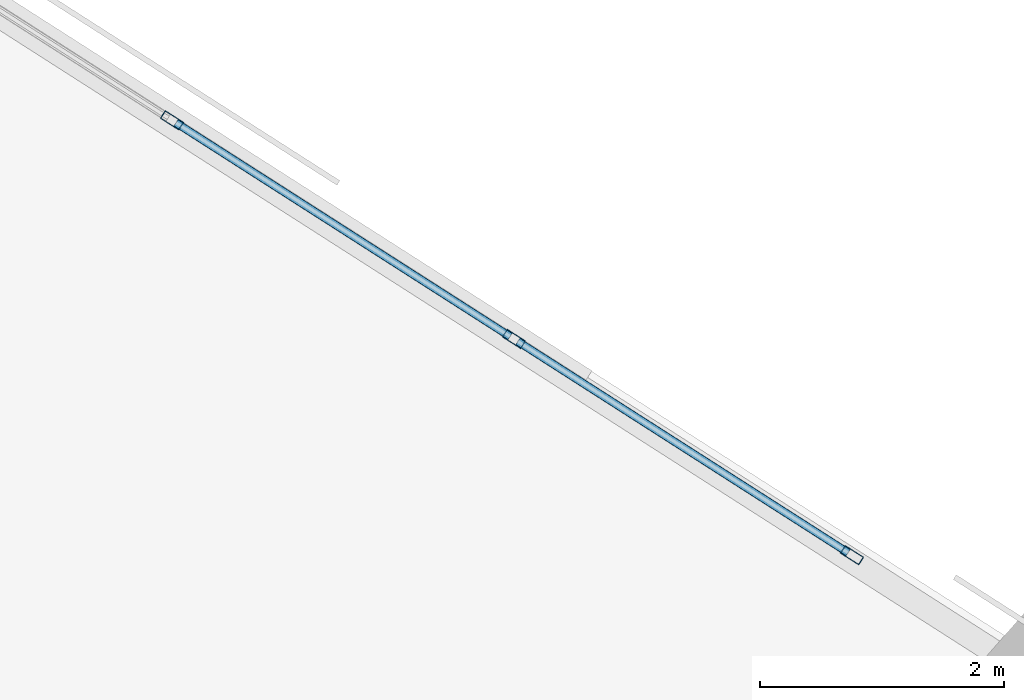
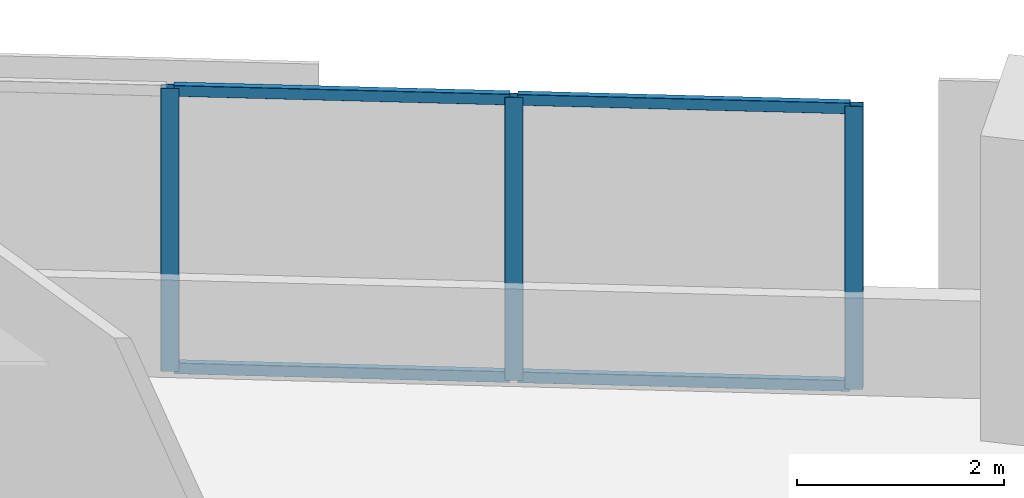
# One storey, part 10 of 17: 7 members, 1 element without a shape of its own.
"""IFC4 building model written with IfcOpenShell, lengths in metres."""

from ifc_helpers import new_model, si_unit, direction, frame, origin, origin_2d, place, context, subcontext, project, spatial, hollow_rectangle, extrude, material, material_profile, profile_set, type_object, element, aggregate, save


model = new_model("IFC4")

# Units and contexts
model_context = context("Model", 3, precision=1e-05, world=origin(), true_north=direction((0.0, 1.0)))
body_context = subcontext(model_context, "Body", "Model", "MODEL_VIEW")
ifc_project = project(units=[si_unit("LENGTHUNIT", "METRE"), si_unit("AREAUNIT", "SQUARE_METRE"), si_unit("VOLUMEUNIT", "CUBIC_METRE"), si_unit("PLANEANGLEUNIT", "RADIAN"), si_unit("MASSUNIT", "GRAM", prefix="KILO")], contexts=[model_context])

# Site, building, storey
site_placement = place(None, origin())
site = spatial("IfcSite", under=ifc_project, at=site_placement, CompositionType="ELEMENT")
building_placement = place(site_placement, origin())
building = spatial("IfcBuilding", under=site, at=building_placement, Name="Narakoshi Arena Tower", CompositionType="ELEMENT")
storey_placement = place(building_placement, frame((0.0, 0.0, 63.300048828125)))
storey = spatial("IfcBuildingStorey", under=building, at=storey_placement, Name="L16", CompositionType="ELEMENT", Elevation=63.300048828125)

# Curtain wall, members
ifc_material = material(Name="Anodised bronze aluminium 6063-T6", Category="aluminium")
curtain_wall_type = type_object("IfcCurtainWallType", Name="CW-HYP-LOW", PredefinedType="NOTDEFINED", material=ifc_material)
curtain_wall_placement = place(storey_placement, origin())
curtain_wall = element("IfcCurtainWall", 1, at=curtain_wall_placement, inside=storey, type_object=curtain_wall_type, Name="L16 Folded Hypotenuse Curtain Wall 2-2", PredefinedType="NOTDEFINED")
ifc_material_profile_1 = material_profile(ifc_material, hollow_rectangle(XDim=0.074951171875, YDim=0.179931640625, WallThickness=0.00390625, OuterFilletRadius=0.0048828125, at=origin_2d()), Name="MUL180x75x4")
ifc_profile_set_1 = profile_set([ifc_material_profile_1], Name="Anodised bronze aluminium 6063-T6")
member_type_1 = type_object("IfcMemberType", Name="MEM-MUL-180", PredefinedType="MULLION", material=ifc_profile_set_1)
member_1_placement = place(storey_placement, frame((83.41943359375, 66.22705078125, 0.0), z_axis=(0.0, 0.0, 1.0), x_axis=(-0.538829098714, -0.842415100992, 0.0)))
member_1 = element("IfcMember", 2, at=member_1_placement, type_object=member_type_1, Name="CW-01 mullion 1", PredefinedType="MULLION", context=body_context, shape_type="SweptSolid", body=[
    extrude(hollow_rectangle(XDim=0.074951171875, YDim=0.179931640625, WallThickness=0.00390625, OuterFilletRadius=0.0048828125, at=origin_2d()), origin(), (0.0, 0.0, 1.0), 3.33984375),
])
member_2_placement = place(storey_placement, frame((80.6474609375, 68.000244140625, 0.0), z_axis=(0.0, 0.0, 1.0), x_axis=(-0.538829098714, -0.842415100992, 0.0)))
member_2 = element("IfcMember", 3, at=member_2_placement, type_object=member_type_1, Name="CW-01 mullion 2", PredefinedType="MULLION", context=body_context, shape_type="SweptSolid", body=[
    extrude(hollow_rectangle(XDim=0.074951171875, YDim=0.179931640625, WallThickness=0.00390625, OuterFilletRadius=0.0048828125, at=origin_2d()), origin(), (0.0, 0.0, 1.0), 3.33984375),
])
member_3_placement = place(storey_placement, frame((77.843505859375, 69.79345703125, 0.0), z_axis=(0.0, 0.0, 1.0), x_axis=(-0.538829098714, -0.842415100992, 0.0)))
member_3 = element("IfcMember", 4, at=member_3_placement, type_object=member_type_1, Name="CW-01 mullion 3", PredefinedType="MULLION", context=body_context, shape_type="SweptSolid", body=[
    extrude(hollow_rectangle(XDim=0.074951171875, YDim=0.179931640625, WallThickness=0.00390625, OuterFilletRadius=0.0048828125, at=origin_2d()), origin(), (0.0, 0.0, 1.0), 3.33984375),
])
ifc_material_profile_2 = material_profile(ifc_material, hollow_rectangle(XDim=0.06494140625, YDim=0.1298828125, WallThickness=0.00390625, OuterFilletRadius=0.0048828125, at=origin_2d()), Name="TRN130x65x4")
ifc_profile_set_2 = profile_set([ifc_material_profile_2], Name="Anodised bronze aluminium 6063-T6")
member_type_2 = type_object("IfcMemberType", Name="MEM-TRN-130", PredefinedType="USERDEFINED", material=ifc_profile_set_2)
member_4_placement = place(storey_placement, frame((83.387939453125, 66.247314453125, 0.032470703125), z_axis=(-0.842424416084, 0.538814535053, 0.0), x_axis=(-0.538814535053, -0.842424416084, 0.0)))
member_4 = element("IfcMember", 5, at=member_4_placement, type_object=member_type_2, Name="CW-01 transom 1.1", ObjectType="TRANSOM", PredefinedType="USERDEFINED", context=body_context, shape_type="SweptSolid", body=[
    extrude(hollow_rectangle(XDim=0.06494140625, YDim=0.1298828125, WallThickness=0.00390625, OuterFilletRadius=0.0048828125, at=origin_2d()), origin(), (0.0, 0.0, 1.0), 3.2158203125),
])
member_5_placement = place(storey_placement, frame((83.387939453125, 66.247314453125, 3.307373046875), z_axis=(-0.842424416084, 0.538814535053, 0.0), x_axis=(-0.538814535053, -0.842424416084, 0.0)))
member_5 = element("IfcMember", 6, at=member_5_placement, type_object=member_type_2, Name="CW-01 transom 1.2", ObjectType="TRANSOM", PredefinedType="USERDEFINED", context=body_context, shape_type="SweptSolid", body=[
    extrude(hollow_rectangle(XDim=0.06494140625, YDim=0.1298828125, WallThickness=0.00390625, OuterFilletRadius=0.0048828125, at=origin_2d()), origin(), (0.0, 0.0, 1.0), 3.2158203125),
])
member_6_placement = place(storey_placement, frame((80.61572265625, 68.020263671875, 0.032470703125), z_axis=(-0.842407668774, 0.5388407182, 0.0), x_axis=(-0.5388407182, -0.842407668774, 0.0)))
member_6 = element("IfcMember", 7, at=member_6_placement, type_object=member_type_2, Name="CW-01 transom 2.1", ObjectType="TRANSOM", PredefinedType="USERDEFINED", context=body_context, shape_type="SweptSolid", body=[
    extrude(hollow_rectangle(XDim=0.06494140625, YDim=0.1298828125, WallThickness=0.00390625, OuterFilletRadius=0.0048828125, at=origin_2d()), origin(), (0.0, 0.0, 1.0), 3.253173828125),
])
member_7_placement = place(storey_placement, frame((80.61572265625, 68.020263671875, 3.307373046875), z_axis=(-0.842407668774, 0.5388407182, 0.0), x_axis=(-0.5388407182, -0.842407668774, 0.0)))
member_7 = element("IfcMember", 8, at=member_7_placement, type_object=member_type_2, Name="CW-01 transom 2.2", ObjectType="TRANSOM", PredefinedType="USERDEFINED", context=body_context, shape_type="SweptSolid", body=[
    extrude(hollow_rectangle(XDim=0.06494140625, YDim=0.1298828125, WallThickness=0.00390625, OuterFilletRadius=0.0048828125, at=origin_2d()), origin(), (0.0, 0.0, 1.0), 3.253173828125),
])
aggregate(curtain_wall, [member_1, member_2, member_3, member_4, member_5, member_6, member_7])

save(model, "model.ifc")
